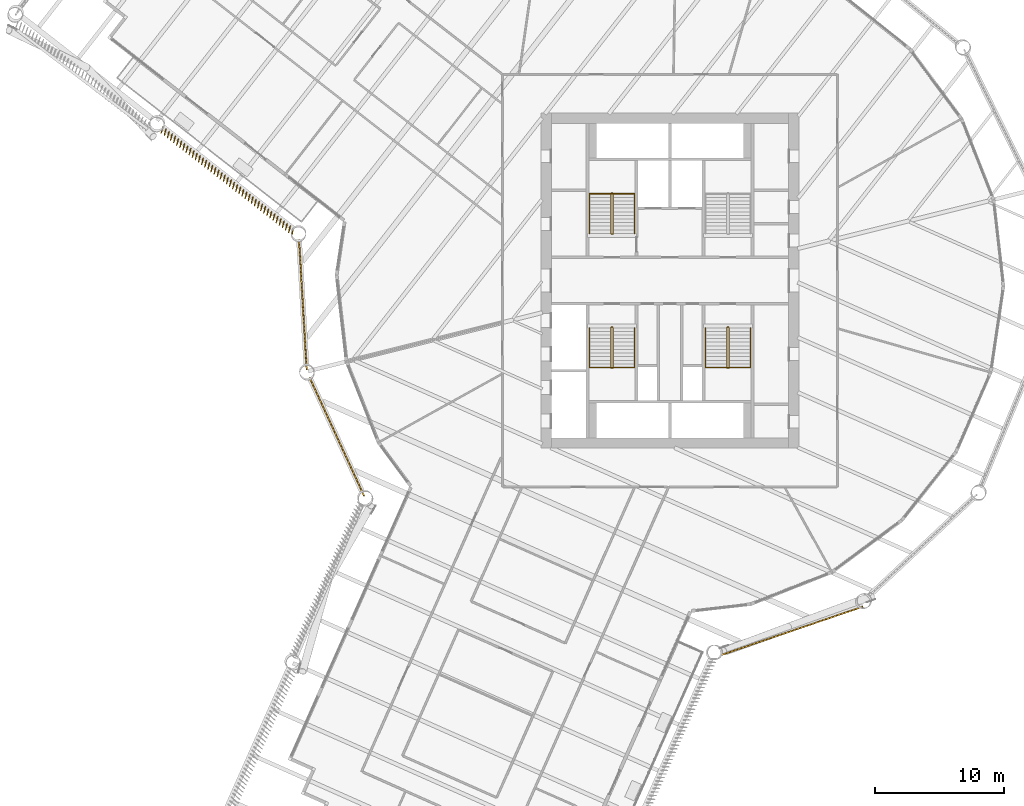
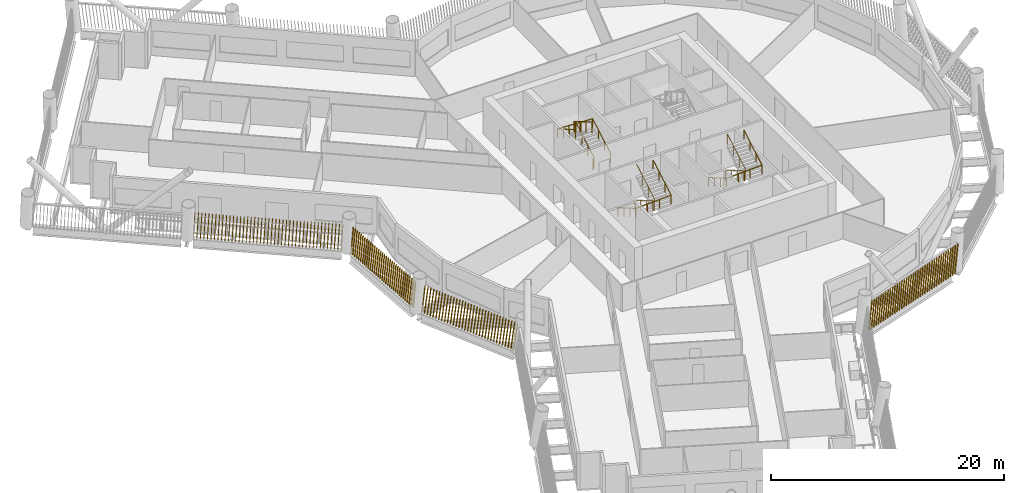
# One storey, part 18 of 22: 6 railings, 4 shading devices.
"""IFC4 building model written with IfcOpenShell, lengths in metres."""

from ifc_helpers import new_model, si_unit, direction, frame, frame_2d, origin, origin_2d, place, context, subcontext, project, spatial, rectangle, circle, composite_profile, extrude, material, type_object, element, save


model = new_model("IFC4")

# Units and contexts
model_context = context("Model", 3, precision=1e-05, world=origin(), true_north=direction((0.0, 1.0)))
body_context = subcontext(model_context, "Body", "Model", "MODEL_VIEW")
ifc_project = project(units=[si_unit("LENGTHUNIT", "METRE"), si_unit("AREAUNIT", "SQUARE_METRE"), si_unit("VOLUMEUNIT", "CUBIC_METRE"), si_unit("PLANEANGLEUNIT", "RADIAN"), si_unit("MASSUNIT", "GRAM", prefix="KILO")], contexts=[model_context])

# Site, building, storey
site_placement = place(None, origin())
site = spatial("IfcSite", under=ifc_project, at=site_placement, CompositionType="ELEMENT")
building_placement = place(site_placement, origin())
building = spatial("IfcBuilding", under=site, at=building_placement, Name="Tarsis Ring Headquarters", CompositionType="ELEMENT")
storey_placement = place(building_placement, frame((0.0, 0.0, 116.199951171875)))
storey = spatial("IfcBuildingStorey", under=building, at=storey_placement, Name="L26", CompositionType="ELEMENT", Elevation=116.199951171875)

# Railings
ifc_material_1 = material(Name="Steel S355", Category="steel")
railing_type_1 = type_object("IfcRailingType", Name="Core stair guard 1100", PredefinedType="GUARDRAIL", material=ifc_material_1)
railing_1_placement = place(storey_placement, frame((-4.5400390625, 3.610107421875, 0.0)))
element("IfcRailing", 1, at=railing_1_placement, inside=storey, type_object=railing_type_1, Name="L26 ST1 stair guard 1", PredefinedType="GUARDRAIL", context=body_context, shape_type="SweptSolid", body=[
    extrude(circle(Radius=0.02392578125, at=origin_2d()), frame((0.0, 0.0, 1.076171875), z_axis=(1.0, 0.0, 0.0), x_axis=(0.0, 1.0, 0.0)), (0.0, 0.0, 1.0), 0.080078125),
    extrude(circle(Radius=0.02392578125, at=origin_2d()), frame((0.080078125, 0.0, 1.076171875), z_axis=(0.282336740067, 0.280959487676, 0.917250092119), x_axis=(-0.705375805398, 0.708833529934, 0.0)), (0.0, 0.0, 1.0), 0.17724609375),
    extrude(circle(Radius=0.02392578125, at=origin_2d()), frame((0.130126953125, 0.0498046875, 1.23876953125), z_axis=(0.0, 0.864920483161, 0.501908913857), x_axis=(-1.0, 0.0, 0.0)), (0.0, 0.0, 1.0), 3.56103515625),
    extrude(circle(Radius=0.02392578125, at=origin_2d()), frame((0.130126953125, 3.1298828125, 3.02587890625), z_axis=(-0.707106781187, 0.707106781187, 0.0), x_axis=(-0.707106781187, -0.707106781187, 0.0)), (0.0, 0.0, 1.0), 0.07080078125),
    extrude(circle(Radius=0.02392578125, at=origin_2d()), frame((0.080078125, 3.179931640625, 3.02587890625), z_axis=(-1.0, 0.0, 0.0), x_axis=(0.0, -1.0, 0.0)), (0.0, 0.0, 1.0), 0.080078125),
    extrude(circle(Radius=0.02392578125, at=origin_2d()), frame((0.0, 3.179931640625, 3.02587890625), z_axis=(-0.282227285176, -0.282227285176, 0.916894497205), x_axis=(0.707106781187, -0.707106781187, 0.0)), (0.0, 0.0, 1.0), 0.17724609375),
    extrude(circle(Radius=0.02392578125, at=origin_2d()), frame((-0.050048828125, 3.1298828125, 3.1884765625), z_axis=(0.0, -0.864890721111, 0.501960198159), x_axis=(1.0, 0.0, 0.0)), (0.0, 0.0, 1.0), 3.561279296875),
    extrude(circle(Radius=0.02099609375, at=origin_2d()), origin(), (0.0, 0.0, 1.0), 1.052001953125),
    extrude(circle(Radius=0.02099609375, at=origin_2d()), frame((0.080078125, 0.0, 0.0)), (0.0, 0.0, 1.0), 1.052001953125),
    extrude(circle(Radius=0.02099609375, at=origin_2d()), frame((0.130126953125, 0.0498046875, 0.16259765625)), (0.0, 0.0, 1.0), 1.052001953125),
    extrude(circle(Radius=0.02099609375, at=origin_2d()), frame((0.130126953125, 1.076416015625, 0.75830078125)), (0.0, 0.0, 1.0), 1.052001953125),
    extrude(circle(Radius=0.02099609375, at=origin_2d()), frame((0.130126953125, 2.103271484375, 1.354248046875)), (0.0, 0.0, 1.0), 1.052001953125),
    extrude(circle(Radius=0.02099609375, at=origin_2d()), frame((0.130126953125, 3.1298828125, 1.949951171875)), (0.0, 0.0, 1.0), 1.052001953125),
    extrude(circle(Radius=0.02099609375, at=origin_2d()), frame((0.080078125, 3.179931640625, 1.949951171875)), (0.0, 0.0, 1.0), 1.052001953125),
    extrude(circle(Radius=0.02099609375, at=origin_2d()), frame((0.0, 3.179931640625, 1.949951171875)), (0.0, 0.0, 1.0), 1.052001953125),
    extrude(circle(Radius=0.02099609375, at=origin_2d()), frame((-0.050048828125, 3.1298828125, 2.112548828125)), (0.0, 0.0, 1.0), 1.052001953125),
    extrude(circle(Radius=0.02099609375, at=origin_2d()), frame((-0.050048828125, 2.103271484375, 2.70849609375)), (0.0, 0.0, 1.0), 1.052001953125),
    extrude(circle(Radius=0.02099609375, at=origin_2d()), frame((-0.050048828125, 1.076416015625, 3.30419921875)), (0.0, 0.0, 1.0), 1.052001953125),
    extrude(circle(Radius=0.02099609375, at=origin_2d()), frame((-0.050048828125, 0.0498046875, 3.900146484375)), (0.0, 0.0, 1.0), 1.052001953125),
])
railing_2_placement = place(storey_placement, frame((-4.4599609375, -3.610107421875, 0.0)))
element("IfcRailing", 2, at=railing_2_placement, inside=storey, type_object=railing_type_1, Name="L26 ST3 stair guard 1", PredefinedType="GUARDRAIL", context=body_context, shape_type="SweptSolid", body=[
    extrude(circle(Radius=0.02392578125, at=origin_2d()), frame((0.0, 0.0, 1.076171875), z_axis=(-1.0, 0.0, 0.0), x_axis=(0.0, -1.0, 0.0)), (0.0, 0.0, 1.0), 0.080078125),
    extrude(circle(Radius=0.02392578125, at=origin_2d()), frame((-0.080078125, 0.0, 1.076171875), z_axis=(-0.282336740067, -0.280959487676, 0.917250092119), x_axis=(0.705375805398, -0.708833529934, 0.0)), (0.0, 0.0, 1.0), 0.17724609375),
    extrude(circle(Radius=0.02392578125, at=origin_2d()), frame((-0.130126953125, -0.0498046875, 1.23876953125), z_axis=(0.0, -0.864920483161, 0.501908913857), x_axis=(1.0, 0.0, 0.0)), (0.0, 0.0, 1.0), 3.56103515625),
    extrude(circle(Radius=0.02392578125, at=origin_2d()), frame((-0.130126953125, -3.1298828125, 3.02587890625), z_axis=(0.707106781187, -0.707106781187, 0.0), x_axis=(0.707106781187, 0.707106781187, 0.0)), (0.0, 0.0, 1.0), 0.07080078125),
    extrude(circle(Radius=0.02392578125, at=origin_2d()), frame((-0.080078125, -3.179931640625, 3.02587890625), z_axis=(1.0, 0.0, 0.0), x_axis=(0.0, 1.0, 0.0)), (0.0, 0.0, 1.0), 0.080078125),
    extrude(circle(Radius=0.02392578125, at=origin_2d()), frame((0.0, -3.179931640625, 3.02587890625), z_axis=(0.282227285176, 0.282227285176, 0.916894497205), x_axis=(-0.707106781187, 0.707106781187, 0.0)), (0.0, 0.0, 1.0), 0.17724609375),
    extrude(circle(Radius=0.02392578125, at=origin_2d()), frame((0.050048828125, -3.1298828125, 3.1884765625), z_axis=(0.0, 0.864890721111, 0.501960198159), x_axis=(-1.0, 0.0, 0.0)), (0.0, 0.0, 1.0), 3.561279296875),
    extrude(circle(Radius=0.02099609375, at=origin_2d()), origin(), (0.0, 0.0, 1.0), 1.052001953125),
    extrude(circle(Radius=0.02099609375, at=origin_2d()), frame((-0.080078125, 0.0, 0.0)), (0.0, 0.0, 1.0), 1.052001953125),
    extrude(circle(Radius=0.02099609375, at=origin_2d()), frame((-0.130126953125, -0.0498046875, 0.16259765625)), (0.0, 0.0, 1.0), 1.052001953125),
    extrude(circle(Radius=0.02099609375, at=origin_2d()), frame((-0.130126953125, -1.076416015625, 0.75830078125)), (0.0, 0.0, 1.0), 1.052001953125),
    extrude(circle(Radius=0.02099609375, at=origin_2d()), frame((-0.130126953125, -2.103271484375, 1.354248046875)), (0.0, 0.0, 1.0), 1.052001953125),
    extrude(circle(Radius=0.02099609375, at=origin_2d()), frame((-0.130126953125, -3.1298828125, 1.949951171875)), (0.0, 0.0, 1.0), 1.052001953125),
    extrude(circle(Radius=0.02099609375, at=origin_2d()), frame((-0.080078125, -3.179931640625, 1.949951171875)), (0.0, 0.0, 1.0), 1.052001953125),
    extrude(circle(Radius=0.02099609375, at=origin_2d()), frame((0.0, -3.179931640625, 1.949951171875)), (0.0, 0.0, 1.0), 1.052001953125),
    extrude(circle(Radius=0.02099609375, at=origin_2d()), frame((0.050048828125, -3.1298828125, 2.112548828125)), (0.0, 0.0, 1.0), 1.052001953125),
    extrude(circle(Radius=0.02099609375, at=origin_2d()), frame((0.050048828125, -2.103271484375, 2.70849609375)), (0.0, 0.0, 1.0), 1.052001953125),
    extrude(circle(Radius=0.02099609375, at=origin_2d()), frame((0.050048828125, -1.076416015625, 3.30419921875)), (0.0, 0.0, 1.0), 1.052001953125),
    extrude(circle(Radius=0.02099609375, at=origin_2d()), frame((0.050048828125, -0.0498046875, 3.900146484375)), (0.0, 0.0, 1.0), 1.052001953125),
])
railing_3_placement = place(storey_placement, frame((4.5400390625, -3.610107421875, 0.0)))
element("IfcRailing", 3, at=railing_3_placement, inside=storey, type_object=railing_type_1, Name="L26 ST4 stair guard 1", PredefinedType="GUARDRAIL", context=body_context, shape_type="SweptSolid", body=[
    extrude(circle(Radius=0.02392578125, at=origin_2d()), frame((0.0, 0.0, 1.076171875), z_axis=(-1.0, 0.0, 0.0), x_axis=(0.0, -1.0, 0.0)), (0.0, 0.0, 1.0), 0.080078125),
    extrude(circle(Radius=0.02392578125, at=origin_2d()), frame((-0.080078125, 0.0, 1.076171875), z_axis=(-0.282336740067, -0.280959487676, 0.917250092119), x_axis=(0.705375805398, -0.708833529934, 0.0)), (0.0, 0.0, 1.0), 0.17724609375),
    extrude(circle(Radius=0.02392578125, at=origin_2d()), frame((-0.130126953125, -0.0498046875, 1.23876953125), z_axis=(0.0, -0.864920483161, 0.501908913857), x_axis=(1.0, 0.0, 0.0)), (0.0, 0.0, 1.0), 3.56103515625),
    extrude(circle(Radius=0.02392578125, at=origin_2d()), frame((-0.130126953125, -3.1298828125, 3.02587890625), z_axis=(0.707106781187, -0.707106781187, 0.0), x_axis=(0.707106781187, 0.707106781187, 0.0)), (0.0, 0.0, 1.0), 0.07080078125),
    extrude(circle(Radius=0.02392578125, at=origin_2d()), frame((-0.080078125, -3.179931640625, 3.02587890625), z_axis=(1.0, 0.0, 0.0), x_axis=(0.0, 1.0, 0.0)), (0.0, 0.0, 1.0), 0.080078125),
    extrude(circle(Radius=0.02392578125, at=origin_2d()), frame((0.0, -3.179931640625, 3.02587890625), z_axis=(0.282227285176, 0.282227285176, 0.916894497205), x_axis=(-0.707106781187, 0.707106781187, 0.0)), (0.0, 0.0, 1.0), 0.17724609375),
    extrude(circle(Radius=0.02392578125, at=origin_2d()), frame((0.050048828125, -3.1298828125, 3.1884765625), z_axis=(0.0, 0.864890721111, 0.501960198159), x_axis=(-1.0, 0.0, 0.0)), (0.0, 0.0, 1.0), 3.561279296875),
    extrude(circle(Radius=0.02099609375, at=origin_2d()), origin(), (0.0, 0.0, 1.0), 1.052001953125),
    extrude(circle(Radius=0.02099609375, at=origin_2d()), frame((-0.080078125, 0.0, 0.0)), (0.0, 0.0, 1.0), 1.052001953125),
    extrude(circle(Radius=0.02099609375, at=origin_2d()), frame((-0.130126953125, -0.0498046875, 0.16259765625)), (0.0, 0.0, 1.0), 1.052001953125),
    extrude(circle(Radius=0.02099609375, at=origin_2d()), frame((-0.130126953125, -1.076416015625, 0.75830078125)), (0.0, 0.0, 1.0), 1.052001953125),
    extrude(circle(Radius=0.02099609375, at=origin_2d()), frame((-0.130126953125, -2.103271484375, 1.354248046875)), (0.0, 0.0, 1.0), 1.052001953125),
    extrude(circle(Radius=0.02099609375, at=origin_2d()), frame((-0.130126953125, -3.1298828125, 1.949951171875)), (0.0, 0.0, 1.0), 1.052001953125),
    extrude(circle(Radius=0.02099609375, at=origin_2d()), frame((-0.080078125, -3.179931640625, 1.949951171875)), (0.0, 0.0, 1.0), 1.052001953125),
    extrude(circle(Radius=0.02099609375, at=origin_2d()), frame((0.0, -3.179931640625, 1.949951171875)), (0.0, 0.0, 1.0), 1.052001953125),
    extrude(circle(Radius=0.02099609375, at=origin_2d()), frame((0.050048828125, -3.1298828125, 2.112548828125)), (0.0, 0.0, 1.0), 1.052001953125),
    extrude(circle(Radius=0.02099609375, at=origin_2d()), frame((0.050048828125, -2.103271484375, 2.70849609375)), (0.0, 0.0, 1.0), 1.052001953125),
    extrude(circle(Radius=0.02099609375, at=origin_2d()), frame((0.050048828125, -1.076416015625, 3.30419921875)), (0.0, 0.0, 1.0), 1.052001953125),
    extrude(circle(Radius=0.02099609375, at=origin_2d()), frame((0.050048828125, -0.0498046875, 3.900146484375)), (0.0, 0.0, 1.0), 1.052001953125),
])
railing_type_2 = type_object("IfcRailingType", Name="Core stair handrail 900", PredefinedType="HANDRAIL", material=ifc_material_1)
railing_4_placement = place(storey_placement, frame((-2.75, 3.659912109375, 0.16259765625)))
element("IfcRailing", 4, at=railing_4_placement, inside=storey, type_object=railing_type_2, Name="L26 ST1 stair handrail 1", PredefinedType="HANDRAIL", context=body_context, shape_type="SweptSolid", body=[
    extrude(circle(Radius=0.02392578125, at=origin_2d()), frame((0.0, 0.0, 0.8759765625), z_axis=(0.0, 0.864920483161, 0.501908913857), x_axis=(-1.0, 0.0, 0.0)), (0.0, 0.0, 1.0), 3.56103515625),
    extrude(circle(Radius=0.02392578125, at=origin_2d()), frame((0.0, 3.080078125, 2.6630859375), z_axis=(-0.998922641604, 0.0, 0.046406422943), x_axis=(0.0, -1.0, 0.0)), (0.0, 0.0, 1.0), 3.503662109375),
    extrude(circle(Radius=0.02392578125, at=origin_2d()), frame((-3.5, 3.080078125, 2.82568359375), z_axis=(0.0, -0.864890721111, 0.501960198159), x_axis=(1.0, 0.0, 0.0)), (0.0, 0.0, 1.0), 3.561279296875),
    extrude(circle(Radius=0.02099609375, at=origin_2d()), origin(), (0.0, 0.0, 1.0), 0.851806640625),
    extrude(circle(Radius=0.02099609375, at=origin_2d()), frame((0.0, 1.026611328125, 0.595703125)), (0.0, 0.0, 1.0), 0.851806640625),
    extrude(circle(Radius=0.02099609375, at=origin_2d()), frame((0.0, 2.053466796875, 1.191650390625)), (0.0, 0.0, 1.0), 0.851806640625),
    extrude(circle(Radius=0.02099609375, at=origin_2d()), frame((0.0, 3.080078125, 1.787353515625)), (0.0, 0.0, 1.0), 0.851806640625),
    extrude(circle(Radius=0.02099609375, at=origin_2d()), frame((-1.166748046875, 3.080078125, 1.841552734375)), (0.0, 0.0, 1.0), 0.851806640625),
    extrude(circle(Radius=0.02099609375, at=origin_2d()), frame((-2.333251953125, 3.080078125, 1.895751953125)), (0.0, 0.0, 1.0), 0.851806640625),
    extrude(circle(Radius=0.02099609375, at=origin_2d()), frame((-3.5, 3.080078125, 1.949951171875)), (0.0, 0.0, 1.0), 0.851806640625),
    extrude(circle(Radius=0.02099609375, at=origin_2d()), frame((-3.5, 2.053466796875, 2.5458984375)), (0.0, 0.0, 1.0), 0.851806640625),
    extrude(circle(Radius=0.02099609375, at=origin_2d()), frame((-3.5, 1.026611328125, 3.1416015625)), (0.0, 0.0, 1.0), 0.851806640625),
    extrude(circle(Radius=0.02099609375, at=origin_2d()), frame((-3.5, 0.0, 3.737548828125)), (0.0, 0.0, 1.0), 0.851806640625),
])
railing_5_placement = place(storey_placement, frame((-6.25, -3.659912109375, 0.16259765625)))
element("IfcRailing", 5, at=railing_5_placement, inside=storey, type_object=railing_type_2, Name="L26 ST3 stair handrail 1", PredefinedType="HANDRAIL", context=body_context, shape_type="SweptSolid", body=[
    extrude(circle(Radius=0.02392578125, at=origin_2d()), frame((0.0, 0.0, 0.8759765625), z_axis=(0.0, -0.864920483161, 0.501908913857), x_axis=(1.0, 0.0, 0.0)), (0.0, 0.0, 1.0), 3.56103515625),
    extrude(circle(Radius=0.02392578125, at=origin_2d()), frame((0.0, -3.080078125, 2.6630859375), z_axis=(0.998922641604, 0.0, 0.046406422943), x_axis=(0.0, 1.0, 0.0)), (0.0, 0.0, 1.0), 3.503662109375),
    extrude(circle(Radius=0.02392578125, at=origin_2d()), frame((3.5, -3.080078125, 2.82568359375), z_axis=(0.0, 0.864890721111, 0.501960198159), x_axis=(-1.0, 0.0, 0.0)), (0.0, 0.0, 1.0), 3.561279296875),
    extrude(circle(Radius=0.02099609375, at=origin_2d()), origin(), (0.0, 0.0, 1.0), 0.851806640625),
    extrude(circle(Radius=0.02099609375, at=origin_2d()), frame((0.0, -1.026611328125, 0.595703125)), (0.0, 0.0, 1.0), 0.851806640625),
    extrude(circle(Radius=0.02099609375, at=origin_2d()), frame((0.0, -2.053466796875, 1.191650390625)), (0.0, 0.0, 1.0), 0.851806640625),
    extrude(circle(Radius=0.02099609375, at=origin_2d()), frame((0.0, -3.080078125, 1.787353515625)), (0.0, 0.0, 1.0), 0.851806640625),
    extrude(circle(Radius=0.02099609375, at=origin_2d()), frame((1.166748046875, -3.080078125, 1.841552734375)), (0.0, 0.0, 1.0), 0.851806640625),
    extrude(circle(Radius=0.02099609375, at=origin_2d()), frame((2.333251953125, -3.080078125, 1.895751953125)), (0.0, 0.0, 1.0), 0.851806640625),
    extrude(circle(Radius=0.02099609375, at=origin_2d()), frame((3.5, -3.080078125, 1.949951171875)), (0.0, 0.0, 1.0), 0.851806640625),
    extrude(circle(Radius=0.02099609375, at=origin_2d()), frame((3.5, -2.053466796875, 2.5458984375)), (0.0, 0.0, 1.0), 0.851806640625),
    extrude(circle(Radius=0.02099609375, at=origin_2d()), frame((3.5, -1.026611328125, 3.1416015625)), (0.0, 0.0, 1.0), 0.851806640625),
    extrude(circle(Radius=0.02099609375, at=origin_2d()), frame((3.5, 0.0, 3.737548828125)), (0.0, 0.0, 1.0), 0.851806640625),
])
railing_6_placement = place(storey_placement, frame((2.75, -3.659912109375, 0.16259765625)))
element("IfcRailing", 6, at=railing_6_placement, inside=storey, type_object=railing_type_2, Name="L26 ST4 stair handrail 1", PredefinedType="HANDRAIL", context=body_context, shape_type="SweptSolid", body=[
    extrude(circle(Radius=0.02392578125, at=origin_2d()), frame((0.0, 0.0, 0.8759765625), z_axis=(0.0, -0.864920483161, 0.501908913857), x_axis=(1.0, 0.0, 0.0)), (0.0, 0.0, 1.0), 3.56103515625),
    extrude(circle(Radius=0.02392578125, at=origin_2d()), frame((0.0, -3.080078125, 2.6630859375), z_axis=(0.998922641604, 0.0, 0.046406422943), x_axis=(0.0, 1.0, 0.0)), (0.0, 0.0, 1.0), 3.503662109375),
    extrude(circle(Radius=0.02392578125, at=origin_2d()), frame((3.5, -3.080078125, 2.82568359375), z_axis=(0.0, 0.864890721111, 0.501960198159), x_axis=(-1.0, 0.0, 0.0)), (0.0, 0.0, 1.0), 3.561279296875),
    extrude(circle(Radius=0.02099609375, at=origin_2d()), origin(), (0.0, 0.0, 1.0), 0.851806640625),
    extrude(circle(Radius=0.02099609375, at=origin_2d()), frame((0.0, -1.026611328125, 0.595703125)), (0.0, 0.0, 1.0), 0.851806640625),
    extrude(circle(Radius=0.02099609375, at=origin_2d()), frame((0.0, -2.053466796875, 1.191650390625)), (0.0, 0.0, 1.0), 0.851806640625),
    extrude(circle(Radius=0.02099609375, at=origin_2d()), frame((0.0, -3.080078125, 1.787353515625)), (0.0, 0.0, 1.0), 0.851806640625),
    extrude(circle(Radius=0.02099609375, at=origin_2d()), frame((1.166748046875, -3.080078125, 1.841552734375)), (0.0, 0.0, 1.0), 0.851806640625),
    extrude(circle(Radius=0.02099609375, at=origin_2d()), frame((2.333251953125, -3.080078125, 1.895751953125)), (0.0, 0.0, 1.0), 0.851806640625),
    extrude(circle(Radius=0.02099609375, at=origin_2d()), frame((3.5, -3.080078125, 1.949951171875)), (0.0, 0.0, 1.0), 0.851806640625),
    extrude(circle(Radius=0.02099609375, at=origin_2d()), frame((3.5, -2.053466796875, 2.5458984375)), (0.0, 0.0, 1.0), 0.851806640625),
    extrude(circle(Radius=0.02099609375, at=origin_2d()), frame((3.5, -1.026611328125, 3.1416015625)), (0.0, 0.0, 1.0), 0.851806640625),
    extrude(circle(Radius=0.02099609375, at=origin_2d()), frame((3.5, 0.0, 3.737548828125)), (0.0, 0.0, 1.0), 0.851806640625),
])

# Shading devices
ifc_material_2 = material(Name="Terracotta baguette", Category="masonry")
shading_device_type = type_object("IfcShadingDeviceType", Name="Terracotta baguette screen", PredefinedType="USERDEFINED", material=ifc_material_2)
shading_device_1_placement = place(storey_placement, frame((-27.9716796875, -7.501220703125, 0.0), z_axis=(0.0, 0.0, 1.0), x_axis=(0.418263585259, -0.908332292317, 0.0)))
element("IfcShadingDevice", 7, at=shading_device_1_placement, inside=storey, type_object=shading_device_type, Name="Baguette screen L26-00", ObjectType="Terracotta baguette screen", PredefinedType="USERDEFINED", context=body_context, shape_type="SweptSolid", body=[
    extrude(composite_profile([rectangle(XDim=0.06005859375, YDim=0.1201171875, at=frame_2d((0.030029296875, 0.0))), rectangle(XDim=0.06005859375, YDim=0.1201171875, at=frame_2d((0.33349609375, 0.0))), rectangle(XDim=0.06005859375, YDim=0.1201171875, at=frame_2d((0.636962890625, 0.0))), rectangle(XDim=0.06005859375, YDim=0.1201171875, at=frame_2d((0.9404296875, 0.0))), rectangle(XDim=0.06005859375, YDim=0.1201171875, at=frame_2d((1.243896484375, 0.0))), rectangle(XDim=0.06005859375, YDim=0.1201171875, at=frame_2d((1.54736328125, 0.0))), rectangle(XDim=0.06005859375, YDim=0.1201171875, at=frame_2d((1.85107421875, 0.0))), rectangle(XDim=0.06005859375, YDim=0.1201171875, at=frame_2d((2.154541015625, 0.0))), rectangle(XDim=0.06005859375, YDim=0.1201171875, at=frame_2d((2.4580078125, 0.0))), rectangle(XDim=0.06005859375, YDim=0.1201171875, at=frame_2d((2.761474609375, 0.0))), rectangle(XDim=0.06005859375, YDim=0.1201171875, at=frame_2d((3.06494140625, 0.0))), rectangle(XDim=0.06005859375, YDim=0.1201171875, at=frame_2d((3.368408203125, 0.0))), rectangle(XDim=0.06005859375, YDim=0.1201171875, at=frame_2d((3.671875, 0.0))), rectangle(XDim=0.06005859375, YDim=0.1201171875, at=frame_2d((3.975341796875, 0.0))), rectangle(XDim=0.06005859375, YDim=0.1201171875, at=frame_2d((4.27880859375, 0.0))), rectangle(XDim=0.06005859375, YDim=0.1201171875, at=frame_2d((4.582275390625, 0.0))), rectangle(XDim=0.06005859375, YDim=0.1201171875, at=frame_2d((4.8857421875, 0.0))), rectangle(XDim=0.06005859375, YDim=0.1201171875, at=frame_2d((5.189453125, 0.0))), rectangle(XDim=0.06005859375, YDim=0.1201171875, at=frame_2d((5.492919921875, 0.0))), rectangle(XDim=0.06005859375, YDim=0.1201171875, at=frame_2d((5.79638671875, 0.0))), rectangle(XDim=0.06005859375, YDim=0.1201171875, at=frame_2d((6.099853515625, 0.0))), rectangle(XDim=0.06005859375, YDim=0.1201171875, at=frame_2d((6.4033203125, 0.0))), rectangle(XDim=0.06005859375, YDim=0.1201171875, at=frame_2d((6.706787109375, 0.0))), rectangle(XDim=0.06005859375, YDim=0.1201171875, at=frame_2d((7.01025390625, 0.0))), rectangle(XDim=0.06005859375, YDim=0.1201171875, at=frame_2d((7.313720703125, 0.0))), rectangle(XDim=0.06005859375, YDim=0.1201171875, at=frame_2d((7.6171875, 0.0))), rectangle(XDim=0.06005859375, YDim=0.1201171875, at=frame_2d((7.920654296875, 0.0))), rectangle(XDim=0.06005859375, YDim=0.1201171875, at=frame_2d((8.224365234375, 0.0))), rectangle(XDim=0.06005859375, YDim=0.1201171875, at=frame_2d((8.52783203125, 0.0))), rectangle(XDim=0.06005859375, YDim=0.1201171875, at=frame_2d((8.831298828125, 0.0))), rectangle(XDim=0.06005859375, YDim=0.1201171875, at=frame_2d((9.134765625, 0.0))), rectangle(XDim=0.06005859375, YDim=0.1201171875, at=frame_2d((9.438232421875, 0.0))), rectangle(XDim=0.06005859375, YDim=0.1201171875, at=frame_2d((9.74169921875, 0.0)))]), origin(), (0.130481792035, 0.000888290926, 0.991450307825), 2.97802734375),
])
shading_device_2_placement = place(storey_placement, frame((3.96826171875, -29.04541015625, 0.0), z_axis=(0.0, 0.0, 1.0), x_axis=(0.946414619325, 0.322944700061, 0.0)))
element("IfcShadingDevice", 8, at=shading_device_2_placement, inside=storey, type_object=shading_device_type, Name="Baguette screen L26-07", ObjectType="Terracotta baguette screen", PredefinedType="USERDEFINED", context=body_context, shape_type="SweptSolid", body=[
    extrude(composite_profile([rectangle(XDim=0.06005859375, YDim=0.1201171875, at=frame_2d((0.030029296875, 0.0))), rectangle(XDim=0.06005859375, YDim=0.1201171875, at=frame_2d((0.33251953125, 0.0))), rectangle(XDim=0.06005859375, YDim=0.1201171875, at=frame_2d((0.634765625, 0.0))), rectangle(XDim=0.06005859375, YDim=0.1201171875, at=frame_2d((0.937255859375, 0.0))), rectangle(XDim=0.06005859375, YDim=0.1201171875, at=frame_2d((1.239501953125, 0.0))), rectangle(XDim=0.06005859375, YDim=0.1201171875, at=frame_2d((1.5419921875, 0.0))), rectangle(XDim=0.06005859375, YDim=0.1201171875, at=frame_2d((1.844482421875, 0.0))), rectangle(XDim=0.06005859375, YDim=0.1201171875, at=frame_2d((2.146728515625, 0.0))), rectangle(XDim=0.06005859375, YDim=0.1201171875, at=frame_2d((2.44921875, 0.0))), rectangle(XDim=0.06005859375, YDim=0.1201171875, at=frame_2d((2.751708984375, 0.0))), rectangle(XDim=0.06005859375, YDim=0.1201171875, at=frame_2d((3.053955078125, 0.0))), rectangle(XDim=0.06005859375, YDim=0.1201171875, at=frame_2d((3.3564453125, 0.0))), rectangle(XDim=0.06005859375, YDim=0.1201171875, at=frame_2d((3.65869140625, 0.0))), rectangle(XDim=0.06005859375, YDim=0.1201171875, at=frame_2d((3.961181640625, 0.0))), rectangle(XDim=0.06005859375, YDim=0.1201171875, at=frame_2d((4.263671875, 0.0))), rectangle(XDim=0.06005859375, YDim=0.1201171875, at=frame_2d((4.56591796875, 0.0))), rectangle(XDim=0.06005859375, YDim=0.1201171875, at=frame_2d((4.868408203125, 0.0))), rectangle(XDim=0.06005859375, YDim=0.1201171875, at=frame_2d((5.1708984375, 0.0))), rectangle(XDim=0.06005859375, YDim=0.1201171875, at=frame_2d((5.47314453125, 0.0))), rectangle(XDim=0.06005859375, YDim=0.1201171875, at=frame_2d((5.775634765625, 0.0))), rectangle(XDim=0.06005859375, YDim=0.1201171875, at=frame_2d((6.077880859375, 0.0))), rectangle(XDim=0.06005859375, YDim=0.1201171875, at=frame_2d((6.38037109375, 0.0))), rectangle(XDim=0.06005859375, YDim=0.1201171875, at=frame_2d((6.682861328125, 0.0))), rectangle(XDim=0.06005859375, YDim=0.1201171875, at=frame_2d((6.985107421875, 0.0))), rectangle(XDim=0.06005859375, YDim=0.1201171875, at=frame_2d((7.28759765625, 0.0))), rectangle(XDim=0.06005859375, YDim=0.1201171875, at=frame_2d((7.590087890625, 0.0))), rectangle(XDim=0.06005859375, YDim=0.1201171875, at=frame_2d((7.892333984375, 0.0))), rectangle(XDim=0.06005859375, YDim=0.1201171875, at=frame_2d((8.19482421875, 0.0))), rectangle(XDim=0.06005859375, YDim=0.1201171875, at=frame_2d((8.4970703125, 0.0))), rectangle(XDim=0.06005859375, YDim=0.1201171875, at=frame_2d((8.799560546875, 0.0))), rectangle(XDim=0.06005859375, YDim=0.1201171875, at=frame_2d((9.10205078125, 0.0))), rectangle(XDim=0.06005859375, YDim=0.1201171875, at=frame_2d((9.404296875, 0.0))), rectangle(XDim=0.06005859375, YDim=0.1201171875, at=frame_2d((9.706787109375, 0.0))), rectangle(XDim=0.06005859375, YDim=0.1201171875, at=frame_2d((10.00927734375, 0.0))), rectangle(XDim=0.06005859375, YDim=0.1201171875, at=frame_2d((10.3115234375, 0.0))), rectangle(XDim=0.06005859375, YDim=0.1201171875, at=frame_2d((10.614013671875, 0.0))), rectangle(XDim=0.06005859375, YDim=0.1201171875, at=frame_2d((10.916259765625, 0.0))), rectangle(XDim=0.06005859375, YDim=0.1201171875, at=frame_2d((11.21875, 0.0)))]), origin(), (0.131494680582, 0.000895267479, 0.991316471907), 2.978515625),
])
shading_device_3_placement = place(storey_placement, frame((-39.3779296875, 11.949951171875, 0.0), z_axis=(0.0, 0.0, 1.0), x_axis=(0.788445890968, -0.615115332942, 0.0)))
element("IfcShadingDevice", 9, at=shading_device_3_placement, inside=storey, type_object=shading_device_type, Name="Baguette screen L26-20", ObjectType="Terracotta baguette screen", PredefinedType="USERDEFINED", context=body_context, shape_type="SweptSolid", body=[
    extrude(composite_profile([rectangle(XDim=0.06005859375, YDim=0.1201171875, at=frame_2d((0.030029296875, 0.0))), rectangle(XDim=0.06005859375, YDim=0.1201171875, at=frame_2d((0.335693359375, 0.0))), rectangle(XDim=0.06005859375, YDim=0.1201171875, at=frame_2d((0.6416015625, 0.0))), rectangle(XDim=0.06005859375, YDim=0.1201171875, at=frame_2d((0.947265625, 0.0))), rectangle(XDim=0.06005859375, YDim=0.1201171875, at=frame_2d((1.253173828125, 0.0))), rectangle(XDim=0.06005859375, YDim=0.1201171875, at=frame_2d((1.558837890625, 0.0))), rectangle(XDim=0.06005859375, YDim=0.1201171875, at=frame_2d((1.864501953125, 0.0))), rectangle(XDim=0.06005859375, YDim=0.1201171875, at=frame_2d((2.17041015625, 0.0))), rectangle(XDim=0.06005859375, YDim=0.1201171875, at=frame_2d((2.47607421875, 0.0))), rectangle(XDim=0.06005859375, YDim=0.1201171875, at=frame_2d((2.781982421875, 0.0))), rectangle(XDim=0.06005859375, YDim=0.1201171875, at=frame_2d((3.087646484375, 0.0))), rectangle(XDim=0.06005859375, YDim=0.1201171875, at=frame_2d((3.393310546875, 0.0))), rectangle(XDim=0.06005859375, YDim=0.1201171875, at=frame_2d((3.69921875, 0.0))), rectangle(XDim=0.06005859375, YDim=0.1201171875, at=frame_2d((4.0048828125, 0.0))), rectangle(XDim=0.06005859375, YDim=0.1201171875, at=frame_2d((4.310791015625, 0.0))), rectangle(XDim=0.06005859375, YDim=0.1201171875, at=frame_2d((4.616455078125, 0.0))), rectangle(XDim=0.06005859375, YDim=0.1201171875, at=frame_2d((4.922119140625, 0.0))), rectangle(XDim=0.06005859375, YDim=0.1201171875, at=frame_2d((5.22802734375, 0.0))), rectangle(XDim=0.06005859375, YDim=0.1201171875, at=frame_2d((5.53369140625, 0.0))), rectangle(XDim=0.06005859375, YDim=0.1201171875, at=frame_2d((5.839599609375, 0.0))), rectangle(XDim=0.06005859375, YDim=0.1201171875, at=frame_2d((6.145263671875, 0.0))), rectangle(XDim=0.06005859375, YDim=0.1201171875, at=frame_2d((6.451171875, 0.0))), rectangle(XDim=0.06005859375, YDim=0.1201171875, at=frame_2d((6.7568359375, 0.0))), rectangle(XDim=0.06005859375, YDim=0.1201171875, at=frame_2d((7.0625, 0.0))), rectangle(XDim=0.06005859375, YDim=0.1201171875, at=frame_2d((7.368408203125, 0.0))), rectangle(XDim=0.06005859375, YDim=0.1201171875, at=frame_2d((7.674072265625, 0.0))), rectangle(XDim=0.06005859375, YDim=0.1201171875, at=frame_2d((7.97998046875, 0.0))), rectangle(XDim=0.06005859375, YDim=0.1201171875, at=frame_2d((8.28564453125, 0.0))), rectangle(XDim=0.06005859375, YDim=0.1201171875, at=frame_2d((8.59130859375, 0.0))), rectangle(XDim=0.06005859375, YDim=0.1201171875, at=frame_2d((8.897216796875, 0.0))), rectangle(XDim=0.06005859375, YDim=0.1201171875, at=frame_2d((9.202880859375, 0.0))), rectangle(XDim=0.06005859375, YDim=0.1201171875, at=frame_2d((9.5087890625, 0.0))), rectangle(XDim=0.06005859375, YDim=0.1201171875, at=frame_2d((9.814453125, 0.0))), rectangle(XDim=0.06005859375, YDim=0.1201171875, at=frame_2d((10.1201171875, 0.0))), rectangle(XDim=0.06005859375, YDim=0.1201171875, at=frame_2d((10.426025390625, 0.0))), rectangle(XDim=0.06005859375, YDim=0.1201171875, at=frame_2d((10.731689453125, 0.0))), rectangle(XDim=0.06005859375, YDim=0.1201171875, at=frame_2d((11.03759765625, 0.0))), rectangle(XDim=0.06005859375, YDim=0.1201171875, at=frame_2d((11.34326171875, 0.0))), rectangle(XDim=0.06005859375, YDim=0.1201171875, at=frame_2d((11.64892578125, 0.0))), rectangle(XDim=0.06005859375, YDim=0.1201171875, at=frame_2d((11.954833984375, 0.0))), rectangle(XDim=0.06005859375, YDim=0.1201171875, at=frame_2d((12.260498046875, 0.0))), rectangle(XDim=0.06005859375, YDim=0.1201171875, at=frame_2d((12.56640625, 0.0))), rectangle(XDim=0.06005859375, YDim=0.1201171875, at=frame_2d((12.8720703125, 0.0)))]), origin(), (0.068343676875, -0.144929218689, 0.98707885369), 2.9912109375),
])
shading_device_4_placement = place(storey_placement, frame((-28.781982421875, 3.20703125, 0.0), z_axis=(0.0, 0.0, 1.0), x_axis=(0.058536950982, -0.998276120522, 0.0)))
element("IfcShadingDevice", 10, at=shading_device_4_placement, inside=storey, type_object=shading_device_type, Name="Baguette screen L26-21", ObjectType="Terracotta baguette screen", PredefinedType="USERDEFINED", context=body_context, shape_type="SweptSolid", body=[
    extrude(composite_profile([rectangle(XDim=0.06005859375, YDim=0.1201171875, at=frame_2d((0.030029296875, 0.0))), rectangle(XDim=0.06005859375, YDim=0.1201171875, at=frame_2d((0.33349609375, 0.0))), rectangle(XDim=0.06005859375, YDim=0.1201171875, at=frame_2d((0.636962890625, 0.0))), rectangle(XDim=0.06005859375, YDim=0.1201171875, at=frame_2d((0.9404296875, 0.0))), rectangle(XDim=0.06005859375, YDim=0.1201171875, at=frame_2d((1.243896484375, 0.0))), rectangle(XDim=0.06005859375, YDim=0.1201171875, at=frame_2d((1.54736328125, 0.0))), rectangle(XDim=0.06005859375, YDim=0.1201171875, at=frame_2d((1.85107421875, 0.0))), rectangle(XDim=0.06005859375, YDim=0.1201171875, at=frame_2d((2.154541015625, 0.0))), rectangle(XDim=0.06005859375, YDim=0.1201171875, at=frame_2d((2.4580078125, 0.0))), rectangle(XDim=0.06005859375, YDim=0.1201171875, at=frame_2d((2.761474609375, 0.0))), rectangle(XDim=0.06005859375, YDim=0.1201171875, at=frame_2d((3.06494140625, 0.0))), rectangle(XDim=0.06005859375, YDim=0.1201171875, at=frame_2d((3.368408203125, 0.0))), rectangle(XDim=0.06005859375, YDim=0.1201171875, at=frame_2d((3.671875, 0.0))), rectangle(XDim=0.06005859375, YDim=0.1201171875, at=frame_2d((3.975341796875, 0.0))), rectangle(XDim=0.06005859375, YDim=0.1201171875, at=frame_2d((4.27880859375, 0.0))), rectangle(XDim=0.06005859375, YDim=0.1201171875, at=frame_2d((4.582275390625, 0.0))), rectangle(XDim=0.06005859375, YDim=0.1201171875, at=frame_2d((4.8857421875, 0.0))), rectangle(XDim=0.06005859375, YDim=0.1201171875, at=frame_2d((5.189453125, 0.0))), rectangle(XDim=0.06005859375, YDim=0.1201171875, at=frame_2d((5.492919921875, 0.0))), rectangle(XDim=0.06005859375, YDim=0.1201171875, at=frame_2d((5.79638671875, 0.0))), rectangle(XDim=0.06005859375, YDim=0.1201171875, at=frame_2d((6.099853515625, 0.0))), rectangle(XDim=0.06005859375, YDim=0.1201171875, at=frame_2d((6.4033203125, 0.0))), rectangle(XDim=0.06005859375, YDim=0.1201171875, at=frame_2d((6.706787109375, 0.0))), rectangle(XDim=0.06005859375, YDim=0.1201171875, at=frame_2d((7.01025390625, 0.0))), rectangle(XDim=0.06005859375, YDim=0.1201171875, at=frame_2d((7.313720703125, 0.0))), rectangle(XDim=0.06005859375, YDim=0.1201171875, at=frame_2d((7.6171875, 0.0))), rectangle(XDim=0.06005859375, YDim=0.1201171875, at=frame_2d((7.920654296875, 0.0))), rectangle(XDim=0.06005859375, YDim=0.1201171875, at=frame_2d((8.224365234375, 0.0))), rectangle(XDim=0.06005859375, YDim=0.1201171875, at=frame_2d((8.52783203125, 0.0))), rectangle(XDim=0.06005859375, YDim=0.1201171875, at=frame_2d((8.831298828125, 0.0))), rectangle(XDim=0.06005859375, YDim=0.1201171875, at=frame_2d((9.134765625, 0.0))), rectangle(XDim=0.06005859375, YDim=0.1201171875, at=frame_2d((9.438232421875, 0.0))), rectangle(XDim=0.06005859375, YDim=0.1201171875, at=frame_2d((9.74169921875, 0.0)))]), origin(), (0.130479710034, 0.000886378649, 0.99145058354), 2.97802734375),
])

save(model, "model.ifc")
